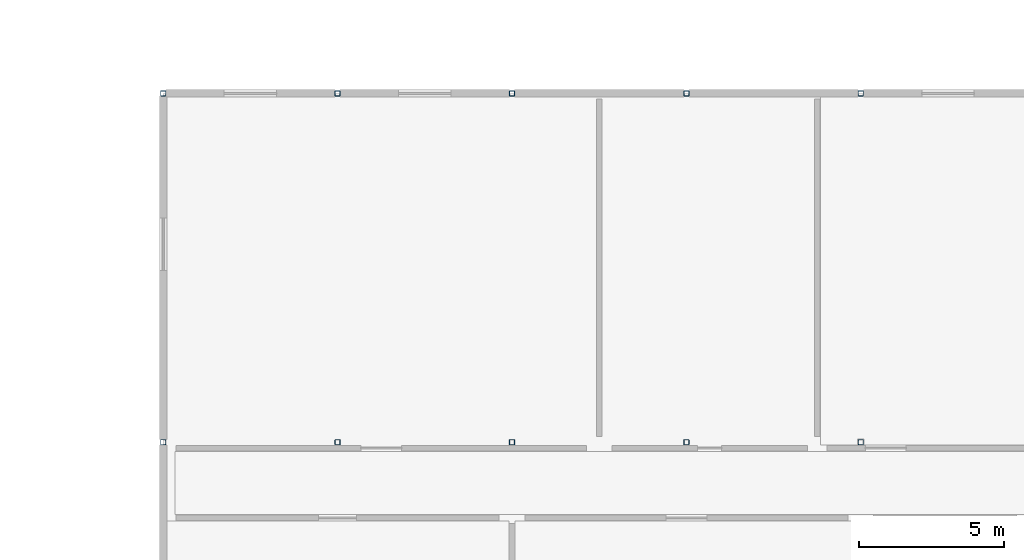
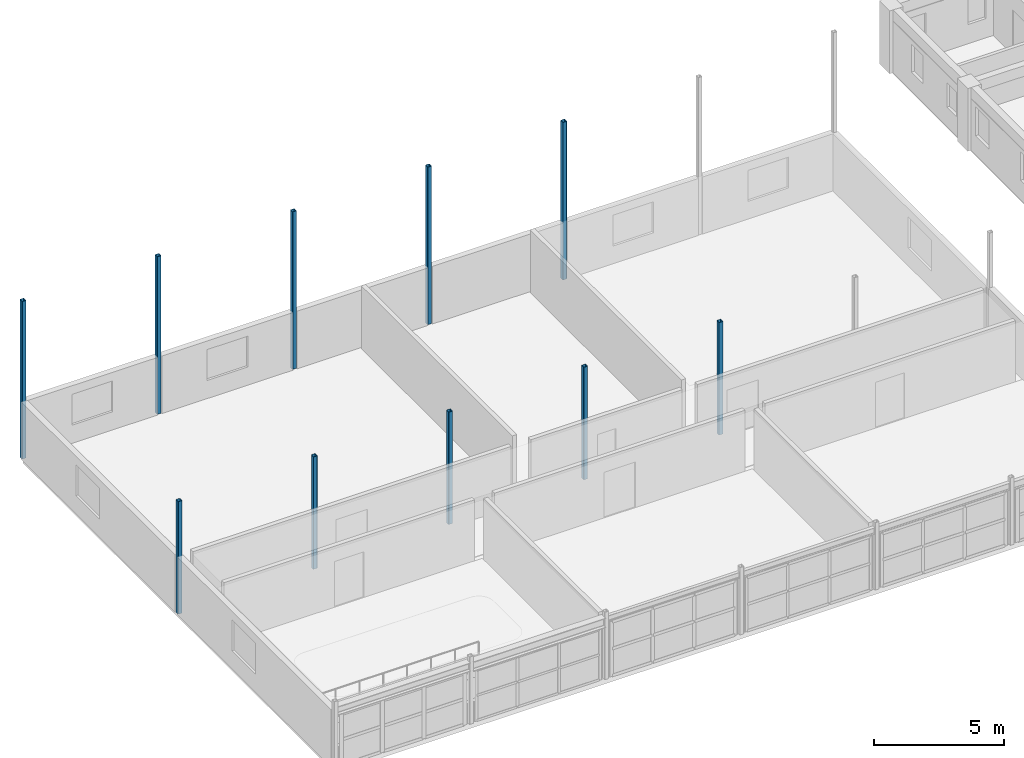
# One storey, part 7 of 137: 10 columns.
"""IFC4 building model written with IfcOpenShell, lengths in metres."""

from ifc_helpers import new_model, si_unit, direction, frame, origin, origin_2d, place, context, subcontext, project, spatial, hollow_rectangle, extrude, material, material_profile, profile_set, type_object, element, save


model = new_model("IFC4")

# Units and contexts
model_context = context("Model", 3, precision=1e-05, world=origin(), true_north=direction((0.0, 1.0)))
body_context = subcontext(model_context, "Body", "Model", "MODEL_VIEW")
ifc_project = project(units=[si_unit("LENGTHUNIT", "METRE"), si_unit("AREAUNIT", "SQUARE_METRE"), si_unit("VOLUMEUNIT", "CUBIC_METRE"), si_unit("PLANEANGLEUNIT", "RADIAN"), si_unit("MASSUNIT", "GRAM", prefix="KILO"), si_unit("POWERUNIT", "WATT"), si_unit("THERMODYNAMICTEMPERATUREUNIT", "KELVIN")], contexts=[model_context])

# Site, building, storey
site_placement = place(None, origin())
site = spatial("IfcSite", under=ifc_project, at=site_placement, CompositionType="ELEMENT")
building_placement = place(site_placement, origin())
building = spatial("IfcBuilding", under=site, at=building_placement, Name="Ruvembo Vaulted Housing Court", CompositionType="ELEMENT")
storey_placement = place(building_placement, frame((0.0, 0.0, 4.5)))
storey = spatial("IfcBuildingStorey", under=building, at=storey_placement, Name="L01", CompositionType="ELEMENT", Elevation=4.5)

# Columns
ifc_material = material(Name="Steel S355J2", Category="steel")
ifc_material_profile = material_profile(ifc_material, hollow_rectangle(XDim=0.179931640625, YDim=0.179931640625, WallThickness=0.010009765625, InnerFilletRadius=0.010009765625, OuterFilletRadius=0.02001953125, at=origin_2d()), Name="SHS 180x180x10")
ifc_profile_set = profile_set([ifc_material_profile], Name="Steel S355J2")
column_type = type_object("IfcColumnType", Name="COL-ST-SHS180", PredefinedType="COLUMN", material=ifc_profile_set)
column_1_placement = place(storey_placement, frame((6.0, 96.0, 0.0), z_axis=(0.0, 0.0, 1.0), x_axis=(1.0, 0.0, 0.0)))
element("IfcColumn", 1, at=column_1_placement, inside=storey, type_object=column_type, Name="L01 Column (6,96)", PredefinedType="COLUMN", context=body_context, shape_type="SweptSolid", body=[
    extrude(hollow_rectangle(XDim=0.179931640625, YDim=0.179931640625, WallThickness=0.010009765625, InnerFilletRadius=0.010009765625, OuterFilletRadius=0.02001953125, at=origin_2d()), origin(), (0.0, 0.0, 1.0), 5.27587890625),
])
column_2_placement = place(storey_placement, frame((6.0, 108.0, 0.0), z_axis=(0.0, 0.0, 1.0), x_axis=(1.0, 0.0, 0.0)))
element("IfcColumn", 2, at=column_2_placement, inside=storey, type_object=column_type, Name="L01 Column (6,108)", PredefinedType="COLUMN", context=body_context, shape_type="SweptSolid", body=[
    extrude(hollow_rectangle(XDim=0.179931640625, YDim=0.179931640625, WallThickness=0.010009765625, InnerFilletRadius=0.010009765625, OuterFilletRadius=0.02001953125, at=origin_2d()), origin(), (0.0, 0.0, 1.0), 7.391845703125),
])
column_3_placement = place(storey_placement, frame((12.0, 96.0, 0.0), z_axis=(0.0, 0.0, 1.0), x_axis=(1.0, 0.0, 0.0)))
element("IfcColumn", 3, at=column_3_placement, inside=storey, type_object=column_type, Name="L01 Column (12,96)", PredefinedType="COLUMN", context=body_context, shape_type="SweptSolid", body=[
    extrude(hollow_rectangle(XDim=0.179931640625, YDim=0.179931640625, WallThickness=0.010009765625, InnerFilletRadius=0.010009765625, OuterFilletRadius=0.02001953125, at=origin_2d()), origin(), (0.0, 0.0, 1.0), 5.27587890625),
])
column_4_placement = place(storey_placement, frame((12.0, 108.0, 0.0), z_axis=(0.0, 0.0, 1.0), x_axis=(1.0, 0.0, 0.0)))
element("IfcColumn", 4, at=column_4_placement, inside=storey, type_object=column_type, Name="L01 Column (12,108)", PredefinedType="COLUMN", context=body_context, shape_type="SweptSolid", body=[
    extrude(hollow_rectangle(XDim=0.179931640625, YDim=0.179931640625, WallThickness=0.010009765625, InnerFilletRadius=0.010009765625, OuterFilletRadius=0.02001953125, at=origin_2d()), origin(), (0.0, 0.0, 1.0), 7.391845703125),
])
column_5_placement = place(storey_placement, frame((18.0, 96.0, 0.0), z_axis=(0.0, 0.0, 1.0), x_axis=(1.0, 0.0, 0.0)))
element("IfcColumn", 5, at=column_5_placement, inside=storey, type_object=column_type, Name="L01 Column (18,96)", PredefinedType="COLUMN", context=body_context, shape_type="SweptSolid", body=[
    extrude(hollow_rectangle(XDim=0.179931640625, YDim=0.179931640625, WallThickness=0.010009765625, InnerFilletRadius=0.010009765625, OuterFilletRadius=0.02001953125, at=origin_2d()), origin(), (0.0, 0.0, 1.0), 5.27587890625),
])
column_6_placement = place(storey_placement, frame((18.0, 108.0, 0.0), z_axis=(0.0, 0.0, 1.0), x_axis=(1.0, 0.0, 0.0)))
element("IfcColumn", 6, at=column_6_placement, inside=storey, type_object=column_type, Name="L01 Column (18,108)", PredefinedType="COLUMN", context=body_context, shape_type="SweptSolid", body=[
    extrude(hollow_rectangle(XDim=0.179931640625, YDim=0.179931640625, WallThickness=0.010009765625, InnerFilletRadius=0.010009765625, OuterFilletRadius=0.02001953125, at=origin_2d()), origin(), (0.0, 0.0, 1.0), 7.391845703125),
])
column_7_placement = place(storey_placement, frame((24.0, 96.0, 0.0), z_axis=(0.0, 0.0, 1.0), x_axis=(1.0, 0.0, 0.0)))
element("IfcColumn", 7, at=column_7_placement, inside=storey, type_object=column_type, Name="L01 Column (24,96)", PredefinedType="COLUMN", context=body_context, shape_type="SweptSolid", body=[
    extrude(hollow_rectangle(XDim=0.179931640625, YDim=0.179931640625, WallThickness=0.010009765625, InnerFilletRadius=0.010009765625, OuterFilletRadius=0.02001953125, at=origin_2d()), origin(), (0.0, 0.0, 1.0), 5.27587890625),
])
column_8_placement = place(storey_placement, frame((24.0, 108.0, 0.0), z_axis=(0.0, 0.0, 1.0), x_axis=(1.0, 0.0, 0.0)))
element("IfcColumn", 8, at=column_8_placement, inside=storey, type_object=column_type, Name="L01 Column (24,108)", PredefinedType="COLUMN", context=body_context, shape_type="SweptSolid", body=[
    extrude(hollow_rectangle(XDim=0.179931640625, YDim=0.179931640625, WallThickness=0.010009765625, InnerFilletRadius=0.010009765625, OuterFilletRadius=0.02001953125, at=origin_2d()), origin(), (0.0, 0.0, 1.0), 7.391845703125),
])
column_9_placement = place(storey_placement, frame((30.0, 96.0, 0.0), z_axis=(0.0, 0.0, 1.0), x_axis=(1.0, 0.0, 0.0)))
element("IfcColumn", 9, at=column_9_placement, inside=storey, type_object=column_type, Name="L01 Column (30,96)", PredefinedType="COLUMN", context=body_context, shape_type="SweptSolid", body=[
    extrude(hollow_rectangle(XDim=0.179931640625, YDim=0.179931640625, WallThickness=0.010009765625, InnerFilletRadius=0.010009765625, OuterFilletRadius=0.02001953125, at=origin_2d()), origin(), (0.0, 0.0, 1.0), 5.27587890625),
])
column_10_placement = place(storey_placement, frame((30.0, 108.0, 0.0), z_axis=(0.0, 0.0, 1.0), x_axis=(1.0, 0.0, 0.0)))
element("IfcColumn", 10, at=column_10_placement, inside=storey, type_object=column_type, Name="L01 Column (30,108)", PredefinedType="COLUMN", context=body_context, shape_type="SweptSolid", body=[
    extrude(hollow_rectangle(XDim=0.179931640625, YDim=0.179931640625, WallThickness=0.010009765625, InnerFilletRadius=0.010009765625, OuterFilletRadius=0.02001953125, at=origin_2d()), origin(), (0.0, 0.0, 1.0), 7.391845703125),
])

save(model, "model.ifc")
